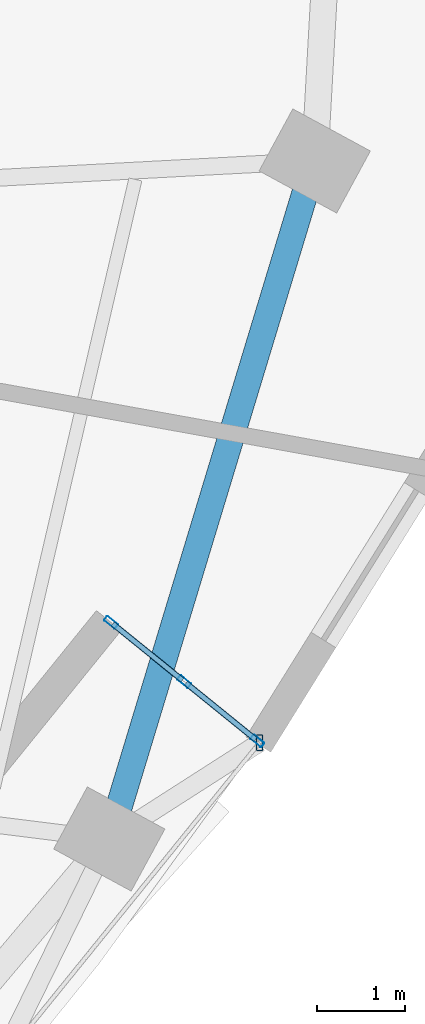
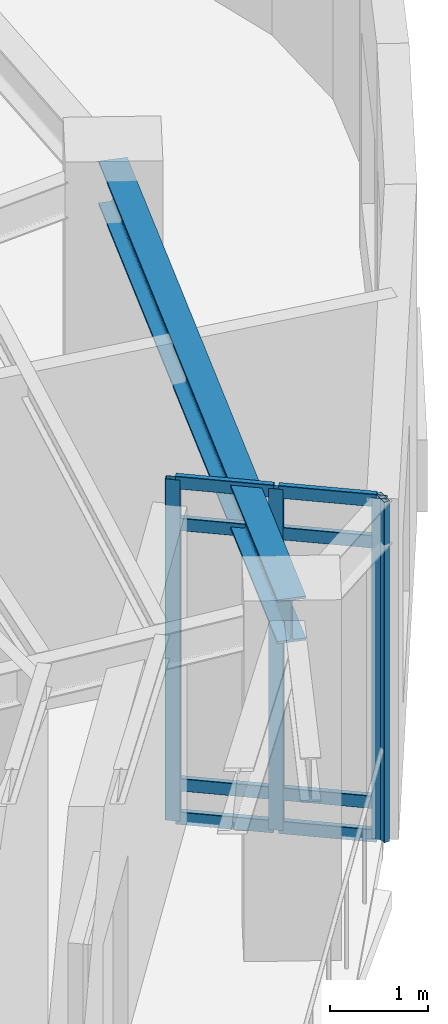
# One storey, part 6 of 14: 12 members, 1 beam, 1 element without a shape of its own.
"""IFC4 building model written with IfcOpenShell, lengths in metres."""

from ifc_helpers import new_model, si_unit, direction, frame, origin, origin_2d, place, context, subcontext, project, spatial, hollow_rectangle, i_section, extrude, material, layer, layer_set, material_profile, profile_set, type_object, element, aggregate, save


model = new_model("IFC4")

# Units and contexts
model_context = context("Model", 3, precision=1e-05, world=origin(), true_north=direction((0.0, 1.0)))
body_context = subcontext(model_context, "Body", "Model", "MODEL_VIEW")
ifc_project = project(units=[si_unit("LENGTHUNIT", "METRE"), si_unit("AREAUNIT", "SQUARE_METRE"), si_unit("VOLUMEUNIT", "CUBIC_METRE"), si_unit("PLANEANGLEUNIT", "RADIAN"), si_unit("MASSUNIT", "GRAM", prefix="KILO")], contexts=[model_context])

# Site, building, storey
site_placement = place(None, origin())
site = spatial("IfcSite", under=ifc_project, at=site_placement, CompositionType="ELEMENT")
building_placement = place(site_placement, origin())
building = spatial("IfcBuilding", under=site, at=building_placement, Name="Ndelora Gate Hotel", CompositionType="ELEMENT")
storey_placement = place(building_placement, frame((0.0, 0.0, 178.25)))
storey = spatial("IfcBuildingStorey", under=building, at=storey_placement, Name="L44", CompositionType="ELEMENT", Elevation=178.25)

# Beam
ifc_material_1 = material(Name="Steel S355", Category="steel")
ifc_material_profile_1 = material_profile(ifc_material_1, i_section(OverallWidth=0.300048828125, OverallDepth=0.550048828125, WebThickness=0.014892578125, FlangeThickness=0.029052734375, FilletRadius=0.027099609375, at=origin_2d()), Name="HEB 550")
ifc_profile_set_1 = profile_set([ifc_material_profile_1], Name="Steel S355")
beam_type = type_object("IfcBeamType", Name="BM-RING-550", PredefinedType="SPANDREL", material=ifc_profile_set_1)
beam_placement = place(storey_placement, frame((13.400390625, -7.275634765625, 3.97509765625), z_axis=(0.290012456561, 0.957022870698, 0.0), x_axis=(-0.957022870698, 0.290012456561, 0.0)))
element("IfcBeam", 1, at=beam_placement, inside=storey, type_object=beam_type, Name="L44 Perimeter Spandrel Girder 7", PredefinedType="SPANDREL", context=body_context, shape_type="SweptSolid", body=[
    extrude(i_section(OverallWidth=0.300048828125, OverallDepth=0.550048828125, WebThickness=0.014892578125, FlangeThickness=0.029052734375, FilletRadius=0.027099609375, at=origin_2d()), origin(), (0.0, 0.0, 1.0), 8.03271484375),
])

# Curtain wall, members
ifc_material_2 = material(Name="Bronze Anodised Unitised Aluminium and Low-E Glass", Category="aluminium")
ifc_layer = layer(ifc_material_2, 0.199951171875)
ifc_layer_set = layer_set([ifc_layer], Name="Bronze Anodised Unitised Aluminium and Low-E Glass")
curtain_wall_type = type_object("IfcCurtainWallType", Name="CW-SYS-3", PredefinedType="NOTDEFINED", material=ifc_layer_set)
curtain_wall_placement = place(storey_placement, origin())
curtain_wall = element("IfcCurtainWall", 2, at=curtain_wall_placement, inside=storey, type_object=curtain_wall_type, Name="L44 Sky-Garden Loggia Side Curtain Wall CW3-2", PredefinedType="NOTDEFINED")
ifc_material_3 = material(Name="Bronze Anodised Aluminium 6063-T6", Category="aluminium")
ifc_material_profile_2 = material_profile(ifc_material_3, hollow_rectangle(XDim=0.06494140625, YDim=0.159912109375, WallThickness=0.00390625, InnerFilletRadius=0.00390625, OuterFilletRadius=0.008056640625, at=origin_2d()), Name="ALU 160x65x4")
ifc_profile_set_2 = profile_set([ifc_material_profile_2], Name="Bronze Anodised Aluminium 6063-T6")
member_type_1 = type_object("IfcMemberType", Name="MB-CW-MUL150", PredefinedType="MULLION", material=ifc_profile_set_2)
member_1_placement = place(storey_placement, frame((15.079345703125, -6.1630859375, -0.00390625), z_axis=(0.0, 0.0, 1.0), x_axis=(-0.629323750841, -0.77714324074, 0.0)))
member_1 = element("IfcMember", 3, at=member_1_placement, type_object=member_type_1, Name="CW3 mullion 1", PredefinedType="MULLION", context=body_context, shape_type="SweptSolid", body=[
    extrude(hollow_rectangle(XDim=0.06494140625, YDim=0.159912109375, WallThickness=0.00390625, InnerFilletRadius=0.00390625, OuterFilletRadius=0.008056640625, at=origin_2d()), origin(), (0.0, 0.0, 1.0), 4.2578125),
])
member_2_placement = place(storey_placement, frame((14.249755859375, -5.491455078125, -0.00390625), z_axis=(0.0, 0.0, 1.0), x_axis=(-0.629323750841, -0.77714324074, 0.0)))
member_2 = element("IfcMember", 4, at=member_2_placement, type_object=member_type_1, Name="CW3 mullion 2", PredefinedType="MULLION", context=body_context, shape_type="SweptSolid", body=[
    extrude(hollow_rectangle(XDim=0.06494140625, YDim=0.159912109375, WallThickness=0.00390625, InnerFilletRadius=0.00390625, OuterFilletRadius=0.008056640625, at=origin_2d()), origin(), (0.0, 0.0, 1.0), 4.2578125),
])
member_3_placement = place(storey_placement, frame((13.420166015625, -4.819580078125, -0.00390625), z_axis=(0.0, 0.0, 1.0), x_axis=(-0.629323750841, -0.77714324074, 0.0)))
member_3 = element("IfcMember", 5, at=member_3_placement, type_object=member_type_1, Name="CW3 mullion 3", PredefinedType="MULLION", context=body_context, shape_type="SweptSolid", body=[
    extrude(hollow_rectangle(XDim=0.06494140625, YDim=0.159912109375, WallThickness=0.00390625, InnerFilletRadius=0.00390625, OuterFilletRadius=0.008056640625, at=origin_2d()), origin(), (0.0, 0.0, 1.0), 4.2578125),
])
ifc_material_profile_3 = material_profile(ifc_material_3, hollow_rectangle(XDim=0.070068359375, YDim=0.179931640625, WallThickness=0.0048828125, InnerFilletRadius=0.0048828125, OuterFilletRadius=0.010009765625, at=origin_2d()), Name="ALU 180x70x5")
ifc_profile_set_3 = profile_set([ifc_material_profile_3], Name="Bronze Anodised Aluminium 6063-T6")
member_type_2 = type_object("IfcMemberType", Name="MB-CW-MUL180", PredefinedType="MULLION", material=ifc_profile_set_3)
member_4_placement = place(storey_placement, frame((15.1044921875, -6.18359375, 0.0), z_axis=(0.0, 0.0, 1.0), x_axis=(1.0, 0.0, 0.0)))
member_4 = element("IfcMember", 6, at=member_4_placement, type_object=member_type_2, Name="L44 Sky-Garden Loggia Corner Mullion Post 2", PredefinedType="MULLION", context=body_context, shape_type="SweptSolid", body=[
    extrude(hollow_rectangle(XDim=0.070068359375, YDim=0.179931640625, WallThickness=0.0048828125, InnerFilletRadius=0.0048828125, OuterFilletRadius=0.010009765625, at=origin_2d()), origin(), (0.0, 0.0, 1.0), 4.25),
])
ifc_material_profile_4 = material_profile(ifc_material_3, hollow_rectangle(XDim=0.06494140625, YDim=0.159912109375, WallThickness=0.00390625, InnerFilletRadius=0.00390625, OuterFilletRadius=0.008056640625, at=origin_2d()), Name="ALU 160x65x4")
ifc_profile_set_4 = profile_set([ifc_material_profile_4], Name="Bronze Anodised Aluminium 6063-T6")
member_type_3 = type_object("IfcMemberType", Name="MB-CW-TRN150", PredefinedType="USERDEFINED", material=ifc_profile_set_4)
member_5_placement = place(storey_placement, frame((15.05859375, -6.146484375, 0.032470703125), z_axis=(-0.777121553917, 0.629350530657, 0.0), x_axis=(-0.629350530657, -0.777121553917, 0.0)))
member_5 = element("IfcMember", 7, at=member_5_placement, type_object=member_type_3, Name="CW3 transom 1.1", ObjectType="TRANSOM", PredefinedType="USERDEFINED", context=body_context, shape_type="SweptSolid", body=[
    extrude(hollow_rectangle(XDim=0.06494140625, YDim=0.159912109375, WallThickness=0.00390625, InnerFilletRadius=0.00390625, OuterFilletRadius=0.008056640625, at=origin_2d()), origin(), (0.0, 0.0, 1.0), 1.014404296875),
])
member_6_placement = place(storey_placement, frame((15.05859375, -6.146484375, 0.449951171875), z_axis=(-0.777121553917, 0.629350530657, 0.0), x_axis=(-0.629350530657, -0.777121553917, 0.0)))
member_6 = element("IfcMember", 8, at=member_6_placement, type_object=member_type_3, Name="CW3 transom 1.2", ObjectType="TRANSOM", PredefinedType="USERDEFINED", context=body_context, shape_type="SweptSolid", body=[
    extrude(hollow_rectangle(XDim=0.06494140625, YDim=0.159912109375, WallThickness=0.00390625, InnerFilletRadius=0.00390625, OuterFilletRadius=0.008056640625, at=origin_2d()), origin(), (0.0, 0.0, 1.0), 1.014404296875),
])
member_7_placement = place(storey_placement, frame((15.05859375, -6.146484375, 3.699951171875), z_axis=(-0.777121553917, 0.629350530657, 0.0), x_axis=(-0.629350530657, -0.777121553917, 0.0)))
member_7 = element("IfcMember", 9, at=member_7_placement, type_object=member_type_3, Name="CW3 transom 1.3", ObjectType="TRANSOM", PredefinedType="USERDEFINED", context=body_context, shape_type="SweptSolid", body=[
    extrude(hollow_rectangle(XDim=0.06494140625, YDim=0.159912109375, WallThickness=0.00390625, InnerFilletRadius=0.00390625, OuterFilletRadius=0.008056640625, at=origin_2d()), origin(), (0.0, 0.0, 1.0), 1.014404296875),
])
member_8_placement = place(storey_placement, frame((15.05859375, -6.146484375, 4.217529296875), z_axis=(-0.777121553917, 0.629350530657, 0.0), x_axis=(-0.629350530657, -0.777121553917, 0.0)))
member_8 = element("IfcMember", 10, at=member_8_placement, type_object=member_type_3, Name="CW3 transom 1.4", ObjectType="TRANSOM", PredefinedType="USERDEFINED", context=body_context, shape_type="SweptSolid", body=[
    extrude(hollow_rectangle(XDim=0.06494140625, YDim=0.159912109375, WallThickness=0.00390625, InnerFilletRadius=0.00390625, OuterFilletRadius=0.008056640625, at=origin_2d()), origin(), (0.0, 0.0, 1.0), 1.014404296875),
])
member_9_placement = place(storey_placement, frame((14.22900390625, -5.474609375, 0.032470703125), z_axis=(-0.777121553917, 0.629350530657, 0.0), x_axis=(-0.629350530657, -0.777121553917, 0.0)))
member_9 = element("IfcMember", 11, at=member_9_placement, type_object=member_type_3, Name="CW3 transom 2.1", ObjectType="TRANSOM", PredefinedType="USERDEFINED", context=body_context, shape_type="SweptSolid", body=[
    extrude(hollow_rectangle(XDim=0.06494140625, YDim=0.159912109375, WallThickness=0.00390625, InnerFilletRadius=0.00390625, OuterFilletRadius=0.008056640625, at=origin_2d()), origin(), (0.0, 0.0, 1.0), 1.014404296875),
])
member_10_placement = place(storey_placement, frame((14.22900390625, -5.474609375, 0.449951171875), z_axis=(-0.777121553917, 0.629350530657, 0.0), x_axis=(-0.629350530657, -0.777121553917, 0.0)))
member_10 = element("IfcMember", 12, at=member_10_placement, type_object=member_type_3, Name="CW3 transom 2.2", ObjectType="TRANSOM", PredefinedType="USERDEFINED", context=body_context, shape_type="SweptSolid", body=[
    extrude(hollow_rectangle(XDim=0.06494140625, YDim=0.159912109375, WallThickness=0.00390625, InnerFilletRadius=0.00390625, OuterFilletRadius=0.008056640625, at=origin_2d()), origin(), (0.0, 0.0, 1.0), 1.014404296875),
])
member_11_placement = place(storey_placement, frame((14.22900390625, -5.474609375, 3.699951171875), z_axis=(-0.777121553917, 0.629350530657, 0.0), x_axis=(-0.629350530657, -0.777121553917, 0.0)))
member_11 = element("IfcMember", 13, at=member_11_placement, type_object=member_type_3, Name="CW3 transom 2.3", ObjectType="TRANSOM", PredefinedType="USERDEFINED", context=body_context, shape_type="SweptSolid", body=[
    extrude(hollow_rectangle(XDim=0.06494140625, YDim=0.159912109375, WallThickness=0.00390625, InnerFilletRadius=0.00390625, OuterFilletRadius=0.008056640625, at=origin_2d()), origin(), (0.0, 0.0, 1.0), 1.014404296875),
])
member_12_placement = place(storey_placement, frame((14.22900390625, -5.474609375, 4.217529296875), z_axis=(-0.777121553917, 0.629350530657, 0.0), x_axis=(-0.629350530657, -0.777121553917, 0.0)))
member_12 = element("IfcMember", 14, at=member_12_placement, type_object=member_type_3, Name="CW3 transom 2.4", ObjectType="TRANSOM", PredefinedType="USERDEFINED", context=body_context, shape_type="SweptSolid", body=[
    extrude(hollow_rectangle(XDim=0.06494140625, YDim=0.159912109375, WallThickness=0.00390625, InnerFilletRadius=0.00390625, OuterFilletRadius=0.008056640625, at=origin_2d()), origin(), (0.0, 0.0, 1.0), 1.014404296875),
])
aggregate(curtain_wall, [member_1, member_2, member_3, member_5, member_6, member_7, member_8, member_9, member_10, member_11, member_12, member_4])

save(model, "model.ifc")
